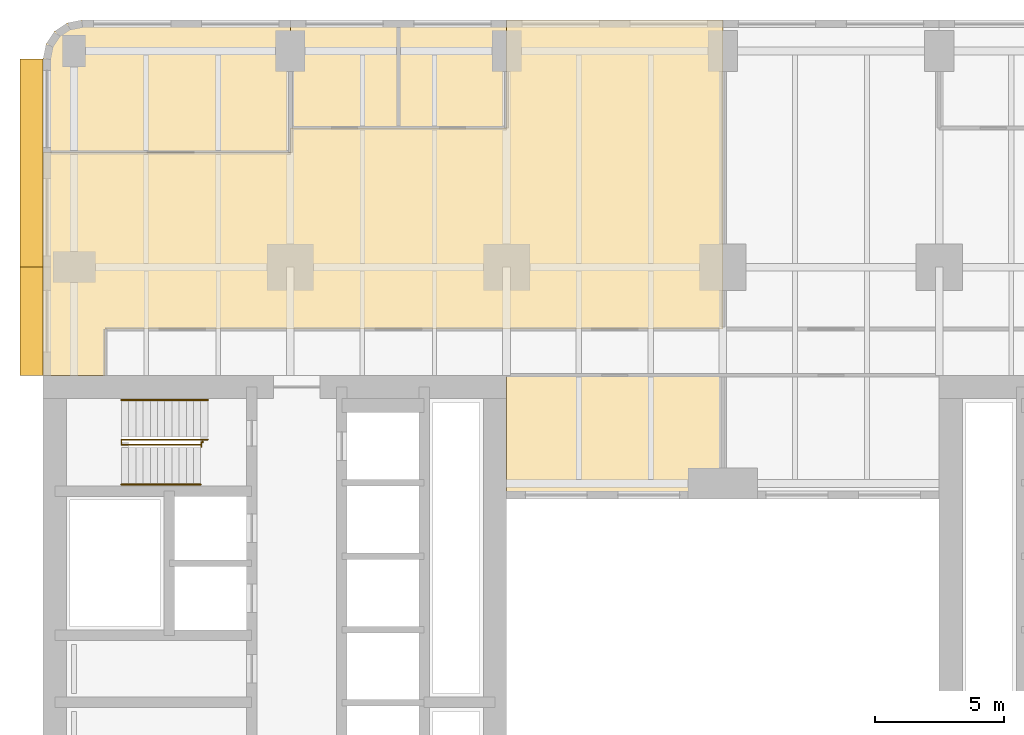
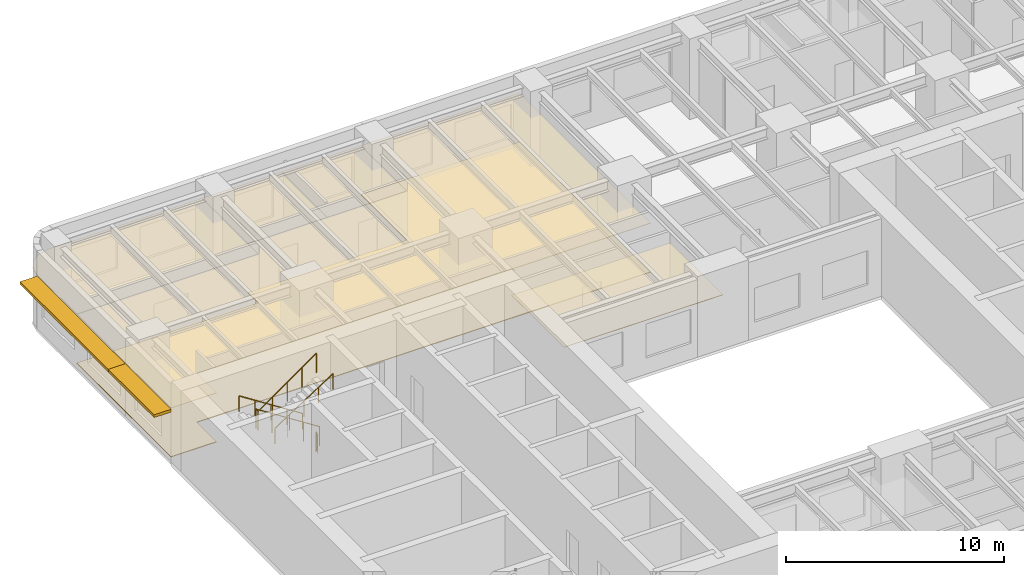
# One storey, part 11 of 12: 6 coverings, 4 railings, 2 shading devices.
"""IFC4 building model written with IfcOpenShell, lengths in metres."""

from ifc_helpers import new_model, si_unit, direction, frame, origin, origin_2d, place, context, subcontext, project, spatial, polyline, rectangle, circle, outline, extrude, material, layer, layer_set, type_object, element, save


model = new_model("IFC4")

# Units and contexts
model_context = context("Model", 3, precision=1e-05, world=origin(), true_north=direction((0.0, 1.0)))
body_context = subcontext(model_context, "Body", "Model", "MODEL_VIEW")
ifc_project = project(units=[si_unit("LENGTHUNIT", "METRE"), si_unit("AREAUNIT", "SQUARE_METRE"), si_unit("VOLUMEUNIT", "CUBIC_METRE"), si_unit("PLANEANGLEUNIT", "RADIAN"), si_unit("MASSUNIT", "GRAM", prefix="KILO")], contexts=[model_context])

# Site, building, storey
site_placement = place(None, origin())
site = spatial("IfcSite", under=ifc_project, at=site_placement, CompositionType="ELEMENT")
building_placement = place(site_placement, origin())
building = spatial("IfcBuilding", under=site, at=building_placement, Name="Claustro Exchange Tower", CompositionType="ELEMENT")
storey_placement = place(building_placement, frame((0.0, 0.0, 45.89990234375)))
storey = spatial("IfcBuildingStorey", under=building, at=storey_placement, Name="L10", CompositionType="ELEMENT", Elevation=45.89990234375)

# Coverings
ifc_material_1 = material(Name="Perforated metal ceiling tiles", Category="steel")
ifc_layer_1 = layer(ifc_material_1, 0.030029296875)
ifc_layer_set_1 = layer_set([ifc_layer_1], Name="Perforated metal ceiling tiles")
covering_type_1 = type_object("IfcCoveringType", Name="CL1 suspended metal ceiling", PredefinedType="CEILING", material=ifc_layer_set_1)
covering_1_placement = place(storey_placement, frame((0.0, 0.0, 3.0)))
element("IfcCovering", 1, at=covering_1_placement, inside=storey, type_object=covering_type_1, Name="Ceiling CL1 L10-12", PredefinedType="CEILING", context=body_context, shape_type="SweptSolid", body=[
    extrude(outline(polyline([(16.800048828125, 33.0), (25.199951171875, 33.0), (25.199951171875, 37.800048828125), (16.800048828125, 37.800048828125), (16.800048828125, 33.0)])), origin(), (0.0, 0.0, 1.0), 0.030029296875),
])
ifc_material_2 = material(Name="Gypsum board ceiling", Category="gypsum board")
ifc_layer_2 = layer(ifc_material_2, 0.02490234375)
ifc_layer_set_2 = layer_set([ifc_layer_2], Name="Gypsum board ceiling")
covering_type_2 = type_object("IfcCoveringType", Name="CL2 plasterboard ceiling", PredefinedType="CEILING", material=ifc_layer_set_2)
covering_2_placement = place(storey_placement, frame((0.0, 0.0, 3.0)))
element("IfcCovering", 2, at=covering_2_placement, inside=storey, type_object=covering_type_2, Name="Ceiling CL2 L10-15", PredefinedType="CEILING", context=body_context, shape_type="SweptSolid", body=[
    extrude(outline(polyline([(-1.199951171875, 46.449951171875), (-1.199951171875, 37.800048828125), (1.199951171875, 37.800048828125), (1.199951171875, 39.60009765625), (25.199951171875, 39.60009765625), (25.199951171875, 51.60009765625), (16.800048828125, 51.60009765625), (16.800048828125, 47.39990234375), (12.60009765625, 47.39990234375), (8.39990234375, 47.39990234375), (8.39990234375, 46.449951171875), (-1.199951171875, 46.449951171875)])), origin(), (0.0, 0.0, 1.0), 0.025146484375),
])
covering_3_placement = place(storey_placement, frame((0.0, 0.0, 3.0)))
element("IfcCovering", 3, at=covering_3_placement, inside=storey, type_object=covering_type_2, Name="Ceiling CL2 L10-17", PredefinedType="CEILING", context=body_context, shape_type="SweptSolid", body=[
    extrude(outline(polyline([(-1.199951171875, 50.10009765625), (-1.199951171875, 46.449951171875), (8.39990234375, 46.449951171875), (8.39990234375, 51.60009765625), (0.300048828125, 51.60009765625), (-0.27392578125, 51.48583984375), (-0.7607421875, 51.16064453125), (-1.085693359375, 50.674072265625), (-1.199951171875, 50.10009765625)])), origin(), (0.0, 0.0, 1.0), 0.025146484375),
])
covering_4_placement = place(storey_placement, frame((0.0, 0.0, 3.0)))
element("IfcCovering", 4, at=covering_4_placement, inside=storey, type_object=covering_type_2, Name="Ceiling CL2 L10-19", PredefinedType="CEILING", context=body_context, shape_type="SweptSolid", body=[
    extrude(outline(polyline([(12.60009765625, 51.60009765625), (8.39990234375, 51.60009765625), (8.39990234375, 47.39990234375), (12.60009765625, 47.39990234375), (12.60009765625, 51.60009765625)])), origin(), (0.0, 0.0, 1.0), 0.025146484375),
])
covering_5_placement = place(storey_placement, frame((0.0, 0.0, 3.0)))
element("IfcCovering", 5, at=covering_5_placement, inside=storey, type_object=covering_type_2, Name="Ceiling CL2 L10-20", PredefinedType="CEILING", context=body_context, shape_type="SweptSolid", body=[
    extrude(outline(polyline([(16.800048828125, 51.60009765625), (12.60009765625, 51.60009765625), (12.60009765625, 47.39990234375), (16.800048828125, 47.39990234375), (16.800048828125, 51.60009765625)])), origin(), (0.0, 0.0, 1.0), 0.025146484375),
])

# Railings
ifc_material_3 = material(Name="Steel balustrade, painted", Category="steel")
railing_type_1 = type_object("IfcRailingType", Name="GR2 1100 steel stair guard", PredefinedType="GUARDRAIL", material=ifc_material_3)
railing_1_placement = place(storey_placement, frame((5.199951171875, 35.300048828125, 0.18017578125)))
element("IfcRailing", 6, at=railing_1_placement, inside=storey, type_object=railing_type_1, Name="Stair well guard GR2 stair STWB L10", PredefinedType="GUARDRAIL", context=body_context, shape_type="SweptSolid", body=[
    extrude(circle(Radius=0.02392578125, at=origin_2d()), frame((0.0, 0.0, 1.076171875), z_axis=(-0.841178475377, 0.0, 0.540757591313), x_axis=(0.0, -1.0, 0.0)), (0.0, 0.0, 1.0), 3.994140625),
    extrude(circle(Radius=0.02392578125, at=origin_2d()), frame((-3.35986328125, 0.0, 3.23583984375), z_axis=(0.0, -1.0, 0.0), x_axis=(1.0, 0.0, 0.0)), (0.0, 0.0, 1.0), 0.199951171875),
    extrude(circle(Radius=0.02392578125, at=origin_2d()), frame((-3.35986328125, -0.199951171875, 3.23583984375), z_axis=(0.818728512145, 0.0, 0.574180828137), x_axis=(0.0, 1.0, 0.0)), (0.0, 0.0, 1.0), 3.76171875),
    extrude(circle(Radius=0.02099609375, at=origin_2d()), origin(), (0.0, 0.0, 1.0), 1.052001953125),
    extrude(circle(Radius=0.02099609375, at=origin_2d()), frame((-0.83984375, 0.0, 0.5400390625)), (0.0, 0.0, 1.0), 1.052001953125),
    extrude(circle(Radius=0.02099609375, at=origin_2d()), frame((-1.679931640625, 0.0, 1.080078125)), (0.0, 0.0, 1.0), 1.052001953125),
    extrude(circle(Radius=0.02099609375, at=origin_2d()), frame((-2.52001953125, 0.0, 1.619873046875)), (0.0, 0.0, 1.0), 1.052001953125),
    extrude(circle(Radius=0.02099609375, at=origin_2d()), frame((-3.35986328125, 0.0, 2.159912109375)), (0.0, 0.0, 1.0), 1.052001953125),
    extrude(circle(Radius=0.02099609375, at=origin_2d()), frame((-3.35986328125, -0.199951171875, 2.159912109375)), (0.0, 0.0, 1.0), 1.052001953125),
    extrude(circle(Radius=0.02099609375, at=origin_2d()), frame((-2.58984375, -0.199951171875, 2.699951171875)), (0.0, 0.0, 1.0), 1.052001953125),
    extrude(circle(Radius=0.02099609375, at=origin_2d()), frame((-1.81982421875, -0.199951171875, 3.23974609375)), (0.0, 0.0, 1.0), 1.052001953125),
    extrude(circle(Radius=0.02099609375, at=origin_2d()), frame((-1.050048828125, -0.199951171875, 3.77978515625)), (0.0, 0.0, 1.0), 1.052001953125),
    extrude(circle(Radius=0.02099609375, at=origin_2d()), frame((-0.280029296875, -0.199951171875, 4.31982421875)), (0.0, 0.0, 1.0), 1.052001953125),
])
railing_2_placement = place(storey_placement, frame((5.0, 35.22998046875, 0.0)))
element("IfcRailing", 7, at=railing_2_placement, inside=storey, type_object=railing_type_1, Name="Stair guard GR2 STWB L10", PredefinedType="GUARDRAIL", context=body_context, shape_type="SweptSolid", body=[
    extrude(circle(Radius=0.02392578125, at=origin_2d()), frame((0.0, 0.0, 1.076171875), z_axis=(0.0, -1.0, 0.0), x_axis=(1.0, 0.0, 0.0)), (0.0, 0.0, 1.0), 0.030029296875),
    extrude(circle(Radius=0.02392578125, at=origin_2d()), frame((0.0, -0.030029296875, 1.076171875), z_axis=(-1.0, 0.0, 0.0), x_axis=(0.0, -1.0, 0.0)), (0.0, 0.0, 1.0), 0.054931640625),
    extrude(circle(Radius=0.02392578125, at=origin_2d()), frame((-0.054931640625, -0.030029296875, 1.076171875), z_axis=(0.0, -1.0, 0.0), x_axis=(1.0, 0.0, 0.0)), (0.0, 0.0, 1.0), 0.179931640625),
    extrude(circle(Radius=0.02099609375, at=origin_2d()), origin(), (0.0, 0.0, 1.0), 1.052001953125),
    extrude(circle(Radius=0.02099609375, at=origin_2d()), frame((0.0, -0.030029296875, 0.0)), (0.0, 0.0, 1.0), 1.052001953125),
    extrude(circle(Radius=0.02099609375, at=origin_2d()), frame((-0.054931640625, -0.030029296875, 0.0)), (0.0, 0.0, 1.0), 1.052001953125),
    extrude(circle(Radius=0.02099609375, at=origin_2d()), frame((-0.054931640625, -0.2099609375, 0.0)), (0.0, 0.0, 1.0), 1.052001953125),
])
ifc_material_4 = material(Name="Stainless steel tube", Category="steel")
railing_type_2 = type_object("IfcRailingType", Name="HR1 900 stair handrail", PredefinedType="HANDRAIL", material=ifc_material_4)
railing_3_placement = place(storey_placement, frame((5.199951171875, 36.840087890625, 0.18017578125)))
element("IfcRailing", 8, at=railing_3_placement, inside=storey, type_object=railing_type_2, Name="Handrail HR1 stair STWB L10", PredefinedType="HANDRAIL", context=body_context, shape_type="SweptSolid", body=[
    extrude(circle(Radius=0.02392578125, at=origin_2d()), frame((0.0, 0.0, 0.8759765625), z_axis=(-0.841178475377, 0.0, 0.540757591313), x_axis=(0.0, -1.0, 0.0)), (0.0, 0.0, 1.0), 3.994140625),
    extrude(circle(Radius=0.02099609375, at=origin_2d()), origin(), (0.0, 0.0, 1.0), 0.851806640625),
    extrude(circle(Radius=0.02099609375, at=origin_2d()), frame((-0.83984375, 0.0, 0.5400390625)), (0.0, 0.0, 1.0), 0.851806640625),
    extrude(circle(Radius=0.02099609375, at=origin_2d()), frame((-1.679931640625, 0.0, 1.080078125)), (0.0, 0.0, 1.0), 0.851806640625),
    extrude(circle(Radius=0.02099609375, at=origin_2d()), frame((-2.52001953125, 0.0, 1.619873046875)), (0.0, 0.0, 1.0), 0.851806640625),
    extrude(circle(Radius=0.02099609375, at=origin_2d()), frame((-3.35986328125, 0.0, 2.159912109375)), (0.0, 0.0, 1.0), 0.851806640625),
])
railing_4_placement = place(storey_placement, frame((1.840087890625, 33.56005859375, 2.52001953125)))
element("IfcRailing", 9, at=railing_4_placement, inside=storey, type_object=railing_type_2, Name="Handrail HR1 stair STWB L10", PredefinedType="HANDRAIL", context=body_context, shape_type="SweptSolid", body=[
    extrude(circle(Radius=0.02392578125, at=origin_2d()), frame((0.0, 0.0, 0.8759765625), z_axis=(0.841167642724, 0.0, 0.540774441735), x_axis=(0.0, 1.0, 0.0)), (0.0, 0.0, 1.0), 3.661376953125),
    extrude(circle(Radius=0.02099609375, at=origin_2d()), origin(), (0.0, 0.0, 1.0), 0.851806640625),
    extrude(circle(Radius=0.02099609375, at=origin_2d()), frame((0.77001953125, 0.0, 0.4951171875)), (0.0, 0.0, 1.0), 0.851806640625),
    extrude(circle(Radius=0.02099609375, at=origin_2d()), frame((1.5400390625, 0.0, 0.989990234375)), (0.0, 0.0, 1.0), 0.851806640625),
    extrude(circle(Radius=0.02099609375, at=origin_2d()), frame((2.309814453125, 0.0, 1.48486328125)), (0.0, 0.0, 1.0), 0.851806640625),
    extrude(circle(Radius=0.02099609375, at=origin_2d()), frame((3.079833984375, 0.0, 1.97998046875)), (0.0, 0.0, 1.0), 0.851806640625),
])

# Covering
ifc_material_5 = material(Name="Steel-encased raised floor panels on pedestals", Category="steel")
ifc_layer_3 = layer(ifc_material_5, 0.0400390625)
ifc_layer_set_3 = layer_set([ifc_layer_3], Name="Steel-encased raised floor panels on pedestals")
covering_type_3 = type_object("IfcCoveringType", Name="RF1 300 raised access floor", PredefinedType="FLOORING", material=ifc_layer_set_3)
covering_6_placement = place(storey_placement, frame((0.0, 0.0, 0.260009765625)))
element("IfcCovering", 10, at=covering_6_placement, inside=storey, type_object=covering_type_3, Name="Raised access floor RF1 L10-15", PredefinedType="FLOORING", context=body_context, shape_type="SweptSolid", body=[
    extrude(outline(polyline([(-1.199951171875, 46.449951171875), (-1.199951171875, 37.800048828125), (1.199951171875, 37.800048828125), (1.199951171875, 39.60009765625), (25.199951171875, 39.60009765625), (25.199951171875, 51.60009765625), (16.800048828125, 51.60009765625), (16.800048828125, 47.39990234375), (12.60009765625, 47.39990234375), (8.39990234375, 47.39990234375), (8.39990234375, 46.449951171875), (-1.199951171875, 46.449951171875)])), origin(), (0.0, 0.0, 1.0), 0.0400390625),
])

# Shading devices
ifc_material_6 = material(Name="Concrete HA-40 (C40/50), precast, white cement, acid-etched", Category="concrete")
ifc_layer_4 = layer(ifc_material_6, 0.14990234375)
ifc_layer_set_4 = layer_set([ifc_layer_4], Name="Concrete HA-40 (C40/50), precast, white cement, acid-etched")
shading_device_type = type_object("IfcShadingDeviceType", Name="SS2 900 precast concrete SUNSHADE", PredefinedType="SHUTTER", material=ifc_layer_set_4)
shading_device_1_placement = place(storey_placement, frame((-1.64990234375, 39.89990234375, 2.800048828125), z_axis=(0.0, 0.0, 1.0), x_axis=(0.0, 1.0, 0.0)))
element("IfcShadingDevice", 11, at=shading_device_1_placement, inside=storey, type_object=shading_device_type, Name="Precast SUNSHADE SS2 L10", PredefinedType="SHUTTER", context=body_context, shape_type="SweptSolid", body=[
    extrude(rectangle(XDim=4.199951171875, YDim=0.89990234375, at=origin_2d()), origin(), (0.0, 0.0, 1.0), 0.14990234375),
])
shading_device_2_placement = place(storey_placement, frame((-1.64990234375, 46.04248046875, 2.800048828125), z_axis=(0.0, 0.0, 1.0), x_axis=(0.0, 1.0, 0.0)))
element("IfcShadingDevice", 12, at=shading_device_2_placement, inside=storey, type_object=shading_device_type, Name="Precast SUNSHADE SS2 L10", PredefinedType="SHUTTER", context=body_context, shape_type="SweptSolid", body=[
    extrude(rectangle(XDim=8.085205078125, YDim=0.89990234375, at=origin_2d()), origin(), (0.0, 0.0, 1.0), 0.14990234375),
])

save(model, "model.ifc")
